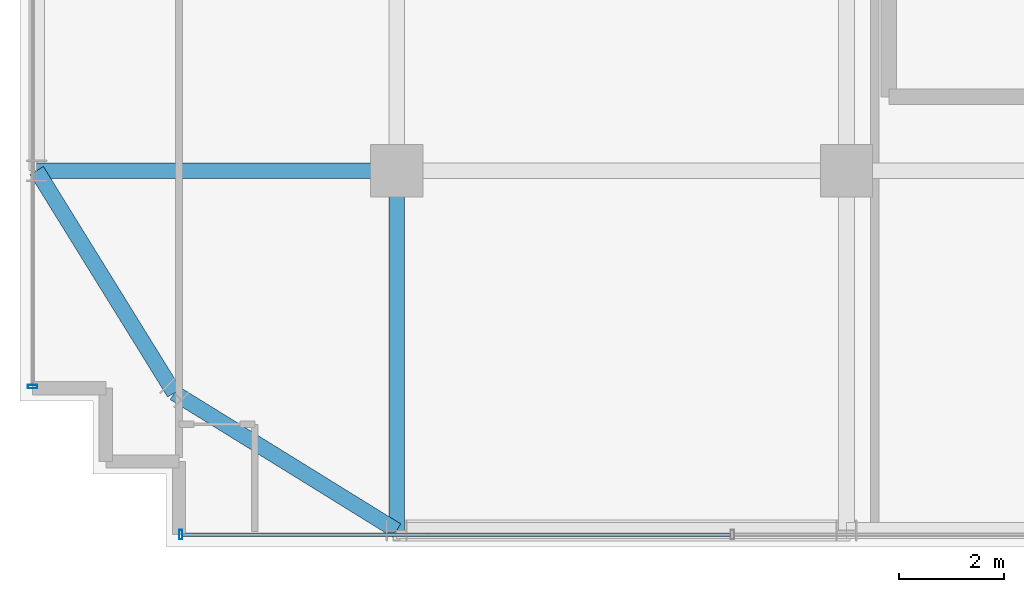
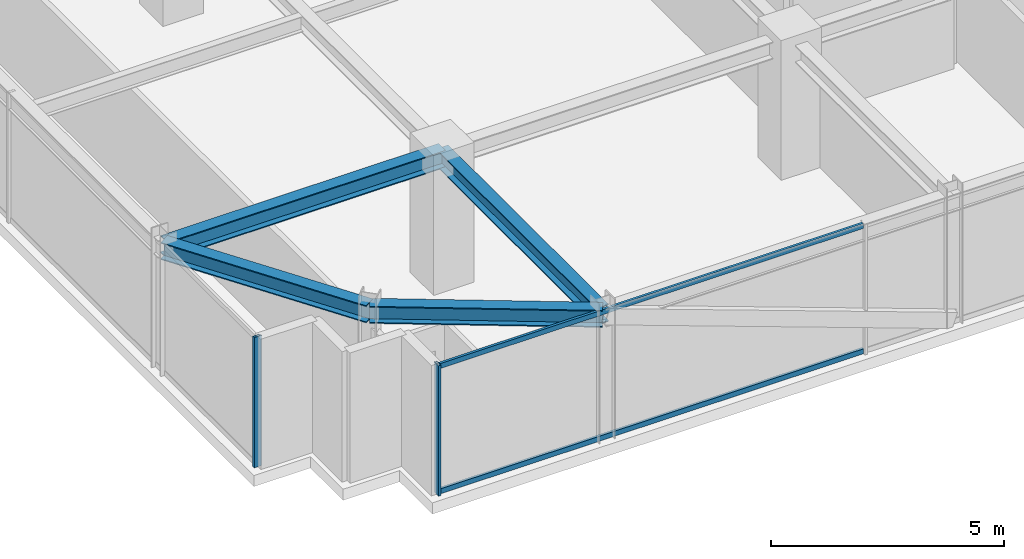
# One storey, part 4 of 36: 4 beams, 4 members, 2 elements without a shape of their own.
"""IFC4 building model written with IfcOpenShell, lengths in metres."""

from ifc_helpers import new_model, si_unit, direction, frame, origin, origin_2d, place, context, subcontext, project, spatial, hollow_rectangle, i_section, extrude, source, transform, mapped, material, material_profile, profile_set, type_object, element, aggregate, save


model = new_model("IFC4")

# Units and contexts
model_context = context("Model", 3, precision=1e-05, world=origin(), true_north=direction((0.0, 1.0)))
body_context = subcontext(model_context, "Body", "Model", "MODEL_VIEW")
ifc_project = project(units=[si_unit("LENGTHUNIT", "METRE"), si_unit("AREAUNIT", "SQUARE_METRE"), si_unit("VOLUMEUNIT", "CUBIC_METRE"), si_unit("PLANEANGLEUNIT", "RADIAN"), si_unit("MASSUNIT", "GRAM", prefix="KILO")], contexts=[model_context])

# Site, building, storey
site_placement = place(None, origin())
site = spatial("IfcSite", under=ifc_project, at=site_placement, CompositionType="ELEMENT")
building_placement = place(site_placement, origin())
building = spatial("IfcBuilding", under=site, at=building_placement, Name="Nahalor Promenade Grand Hotel", CompositionType="ELEMENT")
storey_placement = place(building_placement, frame((0.0, 0.0, 219.699951171875)))
storey = spatial("IfcBuildingStorey", under=building, at=storey_placement, Name="L56", CompositionType="ELEMENT", Elevation=219.699951171875)

# Beams
ifc_material_1 = material(Name="Steel S355JR", Category="steel")
ifc_material_profile_1 = material_profile(ifc_material_1, i_section(OverallWidth=0.3, OverallDepth=0.45, WebThickness=0.014, FlangeThickness=0.026, at=origin_2d()), Name="HEB 450")
ifc_profile_set_1 = profile_set([ifc_material_profile_1], Name="Steel S355JR")
beam_type_1 = type_object("IfcBeamType", Name="Beam-Spandrel-HEB450", PredefinedType="SPANDREL", material=ifc_profile_set_1)
shared_shape_1 = source(origin(), body_context, "Body", "SweptSolid", [
    extrude(i_section(OverallWidth=0.3, OverallDepth=0.45, WebThickness=0.014, FlangeThickness=0.026, at=origin_2d()), origin(), (0.0, 0.0, 1.0), 4.997802734375),
])
for number, where, z_axis, x_axis, name in (
    (1, (-17.0, -23.8798828125, 3.18505859375), (-0.850360908404, 0.526199891161, 0.0), (-0.526199891161, -0.850360908404, 0.0), "BM-L56-SPC-SW-1"),
    (2, (-21.25, -21.25, 3.18505859375), (-0.526199891161, 0.850360908404, 0.0), (-0.850360908404, -0.526199891161, 0.0), "BM-L56-SPC-SW-2"),
):
    element("IfcBeam", number, at=place(storey_placement, frame(where, z_axis=z_axis, x_axis=x_axis)), inside=storey, type_object=beam_type_1, Name=name, PredefinedType="SPANDREL", context=body_context, shape_type="MappedRepresentation", body=[
        mapped(shared_shape_1, transform((0.0, 0.0, 0.0), scale=1.0)),
    ])
ifc_material_profile_2 = material_profile(ifc_material_1, i_section(OverallWidth=0.3, OverallDepth=0.45, WebThickness=0.014, FlangeThickness=0.026, at=origin_2d()), Name="HEB 450")
ifc_profile_set_2 = profile_set([ifc_material_profile_2], Name="Steel S355JR")
beam_type_2 = type_object("IfcBeamType", Name="Beam-Girder-HEB450", PredefinedType="BEAM", material=ifc_profile_set_2)
shared_shape_2 = source(origin(), body_context, "Body", "SweptSolid", [
    extrude(i_section(OverallWidth=0.3, OverallDepth=0.45, WebThickness=0.014, FlangeThickness=0.026, at=origin_2d()), origin(), (0.0, 0.0, 1.0), 6.8798828125),
])
for number, where, z_axis, x_axis, name in (
    (3, (-23.8798828125, -17.0, 3.18505859375), (1.0, 0.0, 0.0), (0.0, 1.0, 0.0), "BM-L56-GX-0-0"),
    (4, (-17.0, -23.8798828125, 3.18505859375), (0.0, 1.0, 0.0), (-1.0, 0.0, 0.0), "BM-L56-GY-0-0"),
):
    element("IfcBeam", number, at=place(storey_placement, frame(where, z_axis=z_axis, x_axis=x_axis)), inside=storey, type_object=beam_type_2, Name=name, PredefinedType="BEAM", context=body_context, shape_type="MappedRepresentation", body=[
        mapped(shared_shape_2, transform((0.0, 0.0, 0.0), scale=1.0)),
    ])

# Curtain wall, member
ifc_material_2 = material(Name="Anodised Bronze Aluminium EN AW-6063 T6", Category="aluminium")
curtain_wall_type = type_object("IfcCurtainWallType", Name="CW2 Typical Hotel Flush Bronze Unitised Curtain Wall", PredefinedType="USERDEFINED", material=ifc_material_2)
curtain_wall_1_placement = place(storey_placement, origin())
curtain_wall_1 = element("IfcCurtainWall", 5, at=curtain_wall_1_placement, inside=storey, type_object=curtain_wall_type, Name="L56 Curtain Wall CW-L56-S-1", ObjectType="UNITISED_CURTAIN_WALL", PredefinedType="USERDEFINED")
ifc_material_profile_3 = material_profile(ifc_material_2, hollow_rectangle(XDim=0.065, YDim=0.18, WallThickness=0.004, at=origin_2d()), Name="CWM 65x180x4")
ifc_profile_set_3 = profile_set([ifc_material_profile_3], Name="Anodised Bronze Aluminium EN AW-6063 T6")
member_type_1 = type_object("IfcMemberType", Name="CWM2 Typical Bronze Mullion 65x180", PredefinedType="MULLION", material=ifc_profile_set_3)
shared_shape_3 = source(origin(), body_context, "Body", "SweptSolid", [
    extrude(hollow_rectangle(XDim=0.065, YDim=0.18, WallThickness=0.004, at=origin_2d()), origin(), (0.0, 0.0, 1.0), 3.41015625),
])
member_1_placement = place(storey_placement, frame((-21.12744140625, -23.9599609375, 0.0), z_axis=(0.0, 0.0, 1.0), x_axis=(1.0, 0.0, 0.0)))
member_1 = element("IfcMember", 6, at=member_1_placement, type_object=member_type_1, Name="CW-L56-S-1 Mullion 0", PredefinedType="MULLION", context=body_context, shape_type="MappedRepresentation", body=[
    mapped(shared_shape_3, transform((0.0, 0.0, 0.0), scale=1.0)),
])

curtain_wall_2_placement = place(storey_placement, origin())
curtain_wall_2 = element("IfcCurtainWall", 7, at=curtain_wall_2_placement, inside=storey, type_object=curtain_wall_type, Name="L56 Curtain Wall CW-L56-W-1", ObjectType="UNITISED_CURTAIN_WALL", PredefinedType="USERDEFINED")
member_2_placement = place(storey_placement, frame((-23.9599609375, -21.12744140625, 0.0), z_axis=(0.0, 0.0, 1.0), x_axis=(0.0, 1.0, 0.0)))
member_2 = element("IfcMember", 8, at=member_2_placement, type_object=member_type_1, Name="CW-L56-W-1 Mullion 0", PredefinedType="MULLION", context=body_context, shape_type="MappedRepresentation", body=[
    mapped(shared_shape_3, transform((0.0, 0.0, 0.0), scale=1.0)),
])
aggregate(curtain_wall_2, [member_2])

# Member
ifc_material_profile_4 = material_profile(ifc_material_2, hollow_rectangle(XDim=0.065, YDim=0.13, WallThickness=0.004, at=origin_2d()), Name="CWT 65x130x4")
ifc_profile_set_4 = profile_set([ifc_material_profile_4], Name="Anodised Bronze Aluminium EN AW-6063 T6")
member_type_2 = type_object("IfcMemberType", Name="CWT2 Typical Bronze Transom 65x130", PredefinedType="USERDEFINED", material=ifc_profile_set_4)
shared_shape_4 = source(origin(), body_context, "Body", "SweptSolid", [
    extrude(hollow_rectangle(XDim=0.065, YDim=0.13, WallThickness=0.004, at=origin_2d()), origin(), (0.0, 0.0, 1.0), 10.482421875),
])
member_3_placement = place(storey_placement, frame((-21.094970703125, -23.9599609375, 0.06494140625), z_axis=(1.0, 0.0, 0.0), x_axis=(0.0, 1.0, 0.0)))
member_3 = element("IfcMember", 9, at=member_3_placement, type_object=member_type_2, Name="CW-L56-S-1 Transom 0-0", ObjectType="TRANSOM", PredefinedType="USERDEFINED", context=body_context, shape_type="MappedRepresentation", body=[
    mapped(shared_shape_4, transform((0.0, 0.0, 0.0), scale=1.0)),
])

member_4_placement = place(storey_placement, frame((-21.094970703125, -23.9599609375, 3.344970703125), z_axis=(1.0, 0.0, 0.0), x_axis=(0.0, 1.0, 0.0)))
member_4 = element("IfcMember", 10, at=member_4_placement, type_object=member_type_2, Name="CW-L56-S-1 Transom 0-1", ObjectType="TRANSOM", PredefinedType="USERDEFINED", context=body_context, shape_type="MappedRepresentation", body=[
    mapped(shared_shape_4, transform((0.0, 0.0, 0.0), scale=1.0)),
])

aggregate(curtain_wall_1, [member_1, member_3, member_4])

save(model, "model.ifc")
